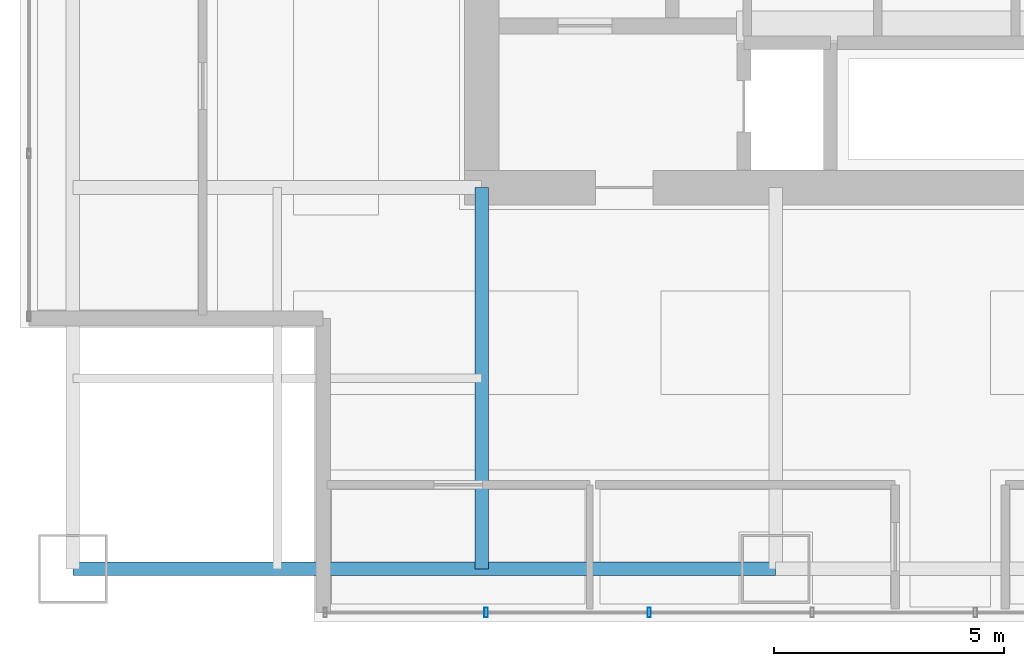
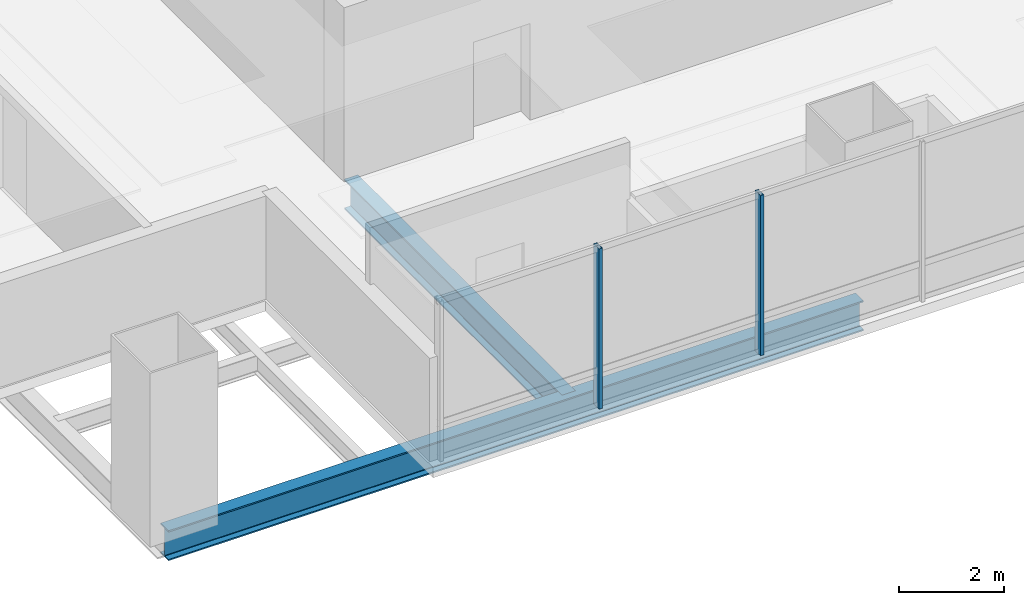
# One storey, part 3 of 33: 2 beams, 2 members, 1 element without a shape of its own.
"""IFC4 building model written with IfcOpenShell, lengths in metres."""

from ifc_helpers import new_model, si_unit, direction, frame, origin, origin_2d, place, context, subcontext, project, spatial, hollow_rectangle, i_section, extrude, material, material_profile, profile_set, type_object, element, aggregate, save


model = new_model("IFC4")

# Units and contexts
model_context = context("Model", 3, precision=1e-05, world=origin(), true_north=direction((0.0, 1.0)))
body_context = subcontext(model_context, "Body", "Model", "MODEL_VIEW")
ifc_project = project(units=[si_unit("LENGTHUNIT", "METRE"), si_unit("AREAUNIT", "SQUARE_METRE"), si_unit("VOLUMEUNIT", "CUBIC_METRE"), si_unit("PLANEANGLEUNIT", "RADIAN"), si_unit("MASSUNIT", "GRAM", prefix="KILO")], contexts=[model_context])

# Site, building, storey
site_placement = place(None, origin())
site = spatial("IfcSite", under=ifc_project, at=site_placement, CompositionType="ELEMENT")
building_placement = place(site_placement, origin())
building = spatial("IfcBuilding", under=site, at=building_placement, Name="Punatoya Terracotta Tower", CompositionType="ELEMENT")
storey_placement = place(building_placement, frame((0.0, 0.0, 121.35009765625)))
storey = spatial("IfcBuildingStorey", under=building, at=storey_placement, Name="L28", CompositionType="ELEMENT", Elevation=121.35009765625)

# Beams
ifc_material_1 = material(Name="Steel S355", Category="steel")
ifc_material_profile_1 = material_profile(ifc_material_1, i_section(OverallWidth=0.300048828125, OverallDepth=0.699951171875, WebThickness=0.01708984375, FlangeThickness=0.031982421875, FilletRadius=0.01806640625, at=origin_2d()))
ifc_profile_set_1 = profile_set([ifc_material_profile_1], Name="Steel S355")
beam_type = type_object("IfcBeamType", Name="BM-PRI-700", PredefinedType="BEAM", material=ifc_profile_set_1)
beam_1_placement = place(storey_placement, frame((-19.10009765625, -17.5, -0.590087890625), z_axis=(1.0, 0.0, 0.0), x_axis=(0.0, 1.0, 0.0)))
element("IfcBeam", 1, at=beam_1_placement, inside=storey, type_object=beam_type, Name="BM-L28-RG-S1", PredefinedType="BEAM", context=body_context, shape_type="SweptSolid", body=[
    extrude(i_section(OverallWidth=0.300048828125, OverallDepth=0.699951171875, WebThickness=0.01708984375, FlangeThickness=0.031982421875, FilletRadius=0.01806640625, at=origin_2d()), origin(), (0.0, 0.0, 1.0), 15.300048828125),
])
beam_2_placement = place(storey_placement, frame((-10.199951171875, -17.5, -0.590087890625), z_axis=(0.0, 1.0, 0.0), x_axis=(-1.0, 0.0, 0.0)))
element("IfcBeam", 2, at=beam_2_placement, inside=storey, type_object=beam_type, Name="BM-L28-PR-S1", PredefinedType="BEAM", context=body_context, shape_type="SweptSolid", body=[
    extrude(i_section(OverallWidth=0.300048828125, OverallDepth=0.699951171875, WebThickness=0.01708984375, FlangeThickness=0.031982421875, FilletRadius=0.01806640625, at=origin_2d()), origin(), (0.0, 0.0, 1.0), 8.300048828125),
])

# Curtain wall, members
ifc_material_2 = material(Name="Aluminium 6063-T6 + Double Low-E Glass", Category="aluminium")
curtain_wall_type = type_object("IfcCurtainWallType", Name="CW-M1", PredefinedType="NOTDEFINED", material=ifc_material_2)
curtain_wall_placement = place(storey_placement, origin())
curtain_wall = element("IfcCurtainWall", 3, at=curtain_wall_placement, inside=storey, type_object=curtain_wall_type, Name="L28 Curtain Wall CW-L28-S01-1", PredefinedType="NOTDEFINED")
ifc_material_3 = material(Name="Aluminium 6063-T6", Category="aluminium")
ifc_material_profile_2 = material_profile(ifc_material_3, hollow_rectangle(XDim=0.074951171875, YDim=0.2099609375, WallThickness=0.00439453125, at=origin_2d()))
ifc_profile_set_2 = profile_set([ifc_material_profile_2], Name="Aluminium 6063-T6")
member_type = type_object("IfcMemberType", Name="CW-MUL-M1", PredefinedType="MULLION", material=ifc_profile_set_2)
member_1_placement = place(storey_placement, frame((-10.101318359375, -18.449951171875, 0.0), z_axis=(0.0, 0.0, 1.0), x_axis=(1.0, 0.0, 0.0)))
member_1 = element("IfcMember", 4, at=member_1_placement, type_object=member_type, Name="CW-L28-S01-1 Mullion 01", PredefinedType="MULLION", context=body_context, shape_type="SweptSolid", body=[
    extrude(hollow_rectangle(XDim=0.074951171875, YDim=0.2099609375, WallThickness=0.00439453125, at=origin_2d()), origin(), (0.0, 0.0, 1.0), 3.72998046875),
])
member_2_placement = place(storey_placement, frame((-6.552490234375, -18.449951171875, 0.0), z_axis=(0.0, 0.0, 1.0), x_axis=(1.0, 0.0, 0.0)))
member_2 = element("IfcMember", 5, at=member_2_placement, type_object=member_type, Name="CW-L28-S01-1 Mullion 02", PredefinedType="MULLION", context=body_context, shape_type="SweptSolid", body=[
    extrude(hollow_rectangle(XDim=0.074951171875, YDim=0.2099609375, WallThickness=0.00439453125, at=origin_2d()), origin(), (0.0, 0.0, 1.0), 3.72998046875),
])
aggregate(curtain_wall, [member_1, member_2])

save(model, "model.ifc")
